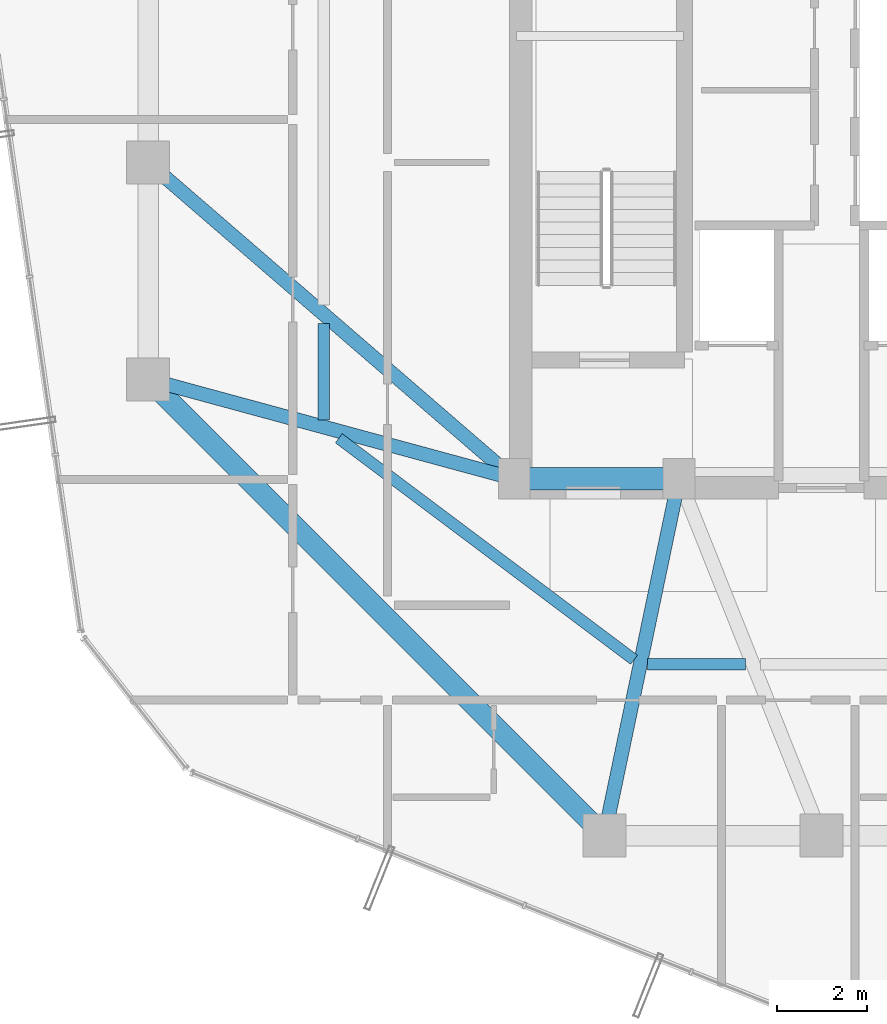
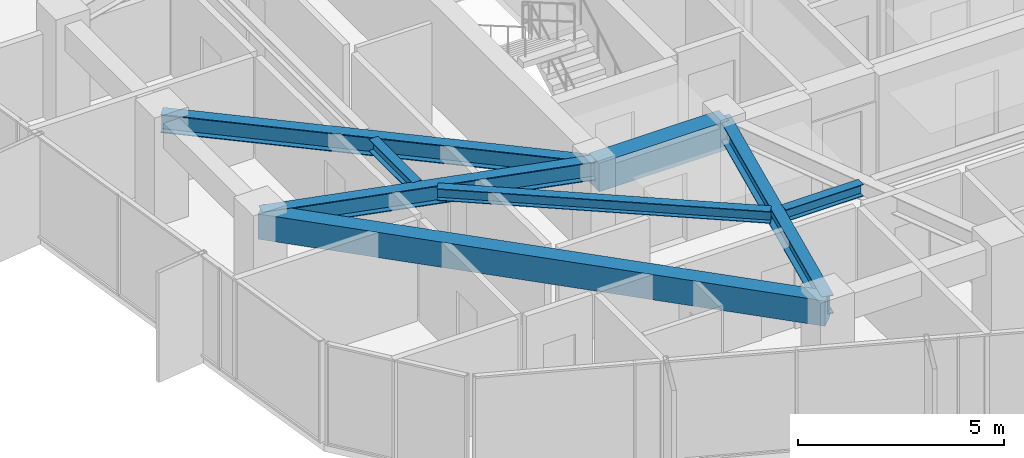
# One storey, part 5 of 31: 8 beams.
"""IFC4 building model written with IfcOpenShell, lengths in metres."""

from ifc_helpers import new_model, si_unit, direction, frame, origin, origin_2d, place, context, subcontext, project, spatial, rectangle, i_section, extrude, material, material_profile, profile_set, type_object, element, save


model = new_model("IFC4")

# Units and contexts
model_context = context("Model", 3, precision=1e-05, world=origin(), true_north=direction((0.0, 1.0)))
body_context = subcontext(model_context, "Body", "Model", "MODEL_VIEW")
ifc_project = project(units=[si_unit("LENGTHUNIT", "METRE"), si_unit("AREAUNIT", "SQUARE_METRE"), si_unit("VOLUMEUNIT", "CUBIC_METRE"), si_unit("PLANEANGLEUNIT", "RADIAN"), si_unit("MASSUNIT", "GRAM", prefix="KILO")], contexts=[model_context])

# Site, building, storey
site_placement = place(None, origin())
site = spatial("IfcSite", under=ifc_project, at=site_placement, CompositionType="ELEMENT")
building_placement = place(site_placement, origin())
building = spatial("IfcBuilding", under=site, at=building_placement, Name="Veraguas Prism Commons", CompositionType="ELEMENT")
storey_placement = place(building_placement, frame((0.0, 0.0, 178.85009765625)))
storey = spatial("IfcBuildingStorey", under=building, at=storey_placement, Name="L50", CompositionType="ELEMENT", Elevation=178.85009765625)

# Beams
ifc_material_1 = material(Name="Concrete C50/60", Category="concrete")
ifc_material_profile_1 = material_profile(ifc_material_1, rectangle(XDim=0.5, YDim=0.85009765625, at=origin_2d()), Name="RC500X850")
ifc_profile_set_1 = profile_set([ifc_material_profile_1], Name="Concrete C50/60")
beam_type_1 = type_object("IfcBeamType", Name="Core Coupling Beam RC 500x850", PredefinedType="BEAM", material=ifc_profile_set_1)
beam_1_placement = place(storey_placement, frame((17.199951171875, 17.0, 2.58984375), z_axis=(1.0, 0.0, 0.0), x_axis=(0.0, 1.0, 0.0)))
element("IfcBeam", 1, at=beam_1_placement, inside=storey, type_object=beam_type_1, Name="Core Coupling Beam L50-CRS1", PredefinedType="BEAM", context=body_context, shape_type="SweptSolid", body=[
    extrude(rectangle(XDim=0.5, YDim=0.85009765625, at=origin_2d()), origin(), (0.0, 0.0, 1.0), 3.650146484375),
])
ifc_material_profile_2 = material_profile(ifc_material_1, rectangle(XDim=0.449951171875, YDim=0.75, at=origin_2d()), Name="RC450X750")
ifc_profile_set_2 = profile_set([ifc_material_profile_2], Name="Concrete C50/60")
beam_type_2 = type_object("IfcBeamType", Name="Perimeter Spandrel Upper RC 450x750", PredefinedType="SPANDREL", material=ifc_profile_set_2)
beam_2_placement = place(storey_placement, frame((9.10009765625, 19.199951171875, 2.639892578125), z_axis=(0.707106781187, -0.707106781187, 0.0), x_axis=(0.707106781187, 0.707106781187, 0.0)))
element("IfcBeam", 2, at=beam_2_placement, inside=storey, type_object=beam_type_2, Name="Perimeter Spandrel Beam L50-SP09", PredefinedType="SPANDREL", context=body_context, shape_type="SweptSolid", body=[
    extrude(rectangle(XDim=0.449951171875, YDim=0.75, at=origin_2d()), origin(), (0.0, 0.0, 1.0), 14.283447265625),
])
ifc_material_2 = material(Name="Steel ASTM A992 Grade 50", Category="steel")
ifc_material_profile_3 = material_profile(ifc_material_2, i_section(OverallWidth=0.25390625, OverallDepth=0.35302734375, WebThickness=0.009521484375, FlangeThickness=0.016357421875, at=origin_2d()), Name="W360X91")
ifc_profile_set_3 = profile_set([ifc_material_profile_3], Name="Steel ASTM A992 Grade 50")
beam_type_3 = type_object("IfcBeamType", Name="Upper Floor Joist W360x91", PredefinedType="JOIST", material=ifc_profile_set_3)
beam_3_placement = place(storey_placement, frame((12.988037109375, 20.43701171875, 2.83837890625), z_axis=(0.0, -1.0, 0.0), x_axis=(1.0, 0.0, 0.0)))
element("IfcBeam", 3, at=beam_3_placement, inside=storey, type_object=beam_type_3, Name="Composite Floor Joist L50-JS08", PredefinedType="JOIST", context=body_context, shape_type="SweptSolid", body=[
    extrude(i_section(OverallWidth=0.25390625, OverallDepth=0.35302734375, WebThickness=0.009521484375, FlangeThickness=0.016357421875, at=origin_2d()), origin(), (0.0, 0.0, 1.0), 2.134033203125),
])
beam_4_placement = place(storey_placement, frame((13.320556640625, 17.89453125, 2.83837890625), z_axis=(0.800060962004, -0.599918708724, 0.0), x_axis=(0.599918708724, 0.800060962004, 0.0)))
element("IfcBeam", 4, at=beam_4_placement, inside=storey, type_object=beam_type_3, Name="Composite Floor Joist L50-JS09", PredefinedType="JOIST", context=body_context, shape_type="SweptSolid", body=[
    extrude(i_section(OverallWidth=0.25390625, OverallDepth=0.35302734375, WebThickness=0.009521484375, FlangeThickness=0.016357421875, at=origin_2d()), origin(), (0.0, 0.0, 1.0), 8.169189453125),
])
beam_5_placement = place(storey_placement, frame((20.148681640625, 12.89208984375, 2.83837890625), z_axis=(1.0, 0.0, 0.0), x_axis=(0.0, 1.0, 0.0)))
element("IfcBeam", 5, at=beam_5_placement, inside=storey, type_object=beam_type_3, Name="Composite Floor Joist L50-JS10", PredefinedType="JOIST", context=body_context, shape_type="SweptSolid", body=[
    extrude(i_section(OverallWidth=0.25390625, OverallDepth=0.35302734375, WebThickness=0.009521484375, FlangeThickness=0.016357421875, at=origin_2d()), origin(), (0.0, 0.0, 1.0), 2.174072265625),
])
ifc_material_profile_4 = material_profile(ifc_material_2, i_section(OverallWidth=0.31103515625, OverallDepth=0.5458984375, WebThickness=0.0146484375, FlangeThickness=0.023681640625, at=origin_2d()), Name="W530X165")
ifc_profile_set_4 = profile_set([ifc_material_profile_4], Name="Steel ASTM A992 Grade 50")
beam_type_4 = type_object("IfcBeamType", Name="Zone 3 Radial Girder W530x165", PredefinedType="BEAM", material=ifc_profile_set_4)
beam_6_placement = place(storey_placement, frame((9.10009765625, 24.0, 2.741943359375), z_axis=(0.756607086554, -0.653869800936, 0.0), x_axis=(0.653869800936, 0.756607086554, 0.0)))
element("IfcBeam", 6, at=beam_6_placement, inside=storey, type_object=beam_type_4, Name="Radial Floor Girder L50-RD08", PredefinedType="BEAM", context=body_context, shape_type="SweptSolid", body=[
    extrude(i_section(OverallWidth=0.31103515625, OverallDepth=0.5458984375, WebThickness=0.0146484375, FlangeThickness=0.023681640625, at=origin_2d()), origin(), (0.0, 0.0, 1.0), 10.70556640625),
])
beam_7_placement = place(storey_placement, frame((9.10009765625, 19.199951171875, 2.741943359375), z_axis=(0.965038506703, -0.262108146725, 0.0), x_axis=(0.262108146725, 0.965038506703, 0.0)))
element("IfcBeam", 7, at=beam_7_placement, inside=storey, type_object=beam_type_4, Name="Radial Floor Girder L50-RD09", PredefinedType="BEAM", context=body_context, shape_type="SweptSolid", body=[
    extrude(i_section(OverallWidth=0.31103515625, OverallDepth=0.5458984375, WebThickness=0.0146484375, FlangeThickness=0.023681640625, at=origin_2d()), origin(), (0.0, 0.0, 1.0), 8.393310546875),
])
beam_8_placement = place(storey_placement, frame((19.199951171875, 9.10009765625, 2.741943359375), z_axis=(0.204468851168, 0.978873070884, 0.0), x_axis=(-0.978873070884, 0.204468851168, 0.0)))
element("IfcBeam", 8, at=beam_8_placement, inside=storey, type_object=beam_type_4, Name="Radial Floor Girder L50-RD10", PredefinedType="BEAM", context=body_context, shape_type="SweptSolid", body=[
    extrude(i_section(OverallWidth=0.31103515625, OverallDepth=0.5458984375, WebThickness=0.0146484375, FlangeThickness=0.023681640625, at=origin_2d()), origin(), (0.0, 0.0, 1.0), 8.0703125),
])

save(model, "model.ifc")
